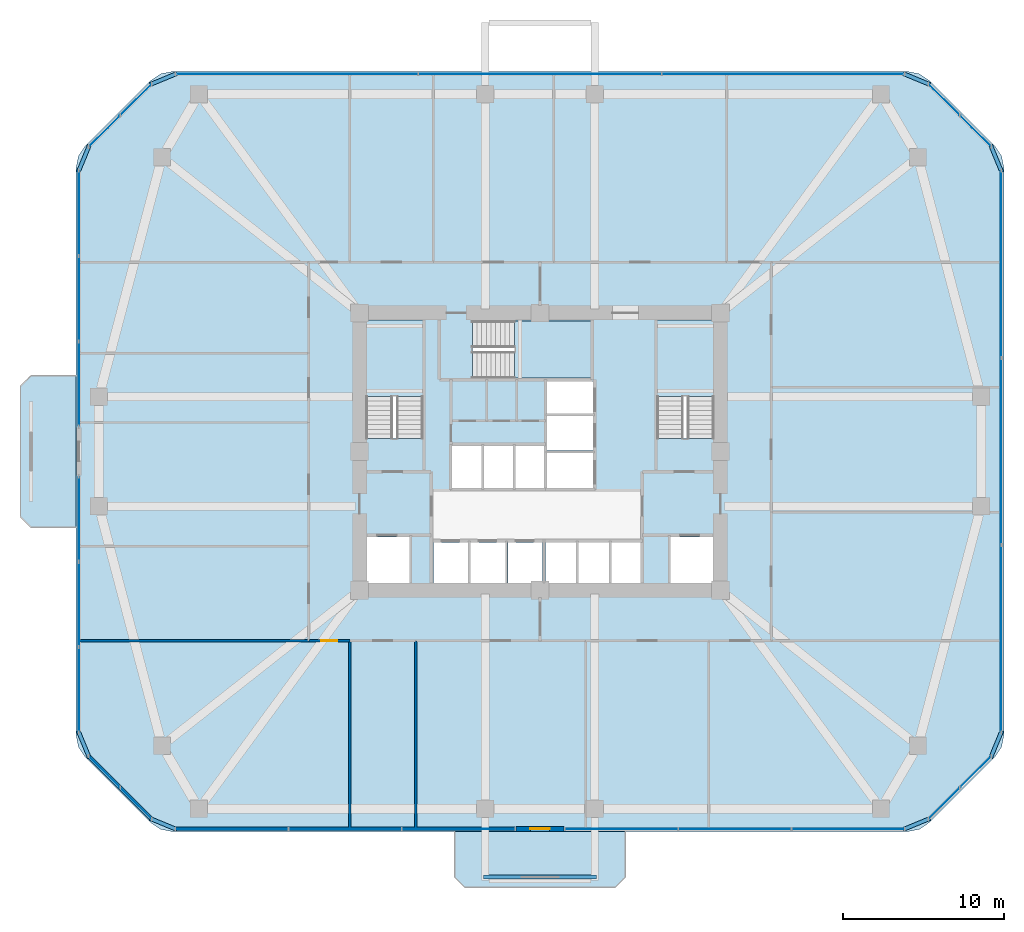
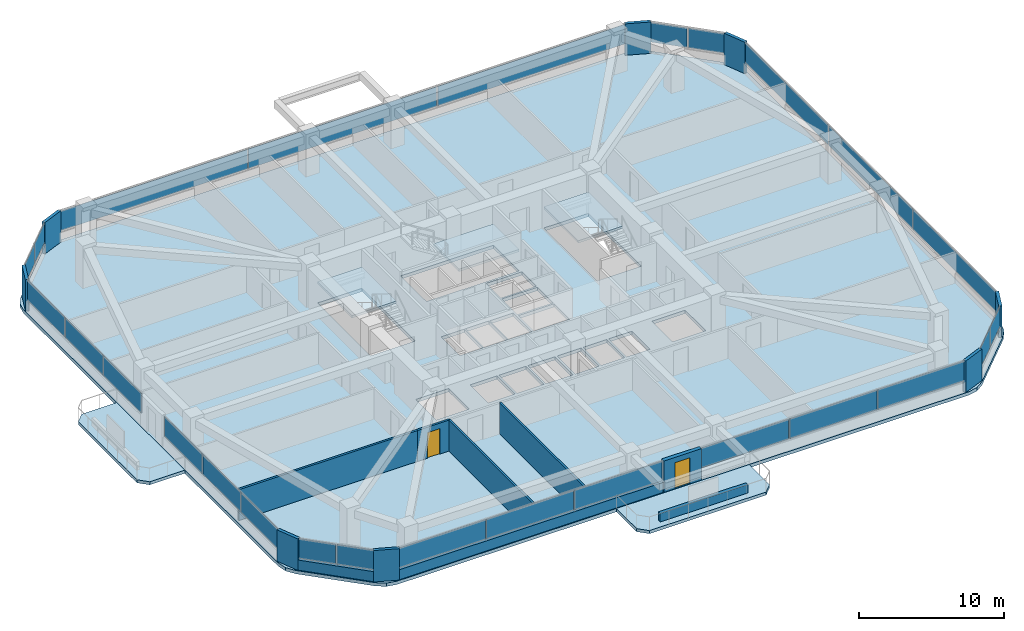
# One storey, part 8 of 13: 34 plates, 8 walls, 6 slabs, 2 doors, 2 openings, 13 elements without a shape of their own.
"""IFC4 building model written with IfcOpenShell, lengths in metres."""

import ifcopenshell
import ifcopenshell.guid

model = None  # the IFC model being written
_history = None  # IfcOwnerHistory: only IFC2X3 demands one
_inside = {}  # id of a spatial element -> (the spatial element, [elements in it])
_under = {}  # id of a project, library or spatial element -> (it, [spatial elements below it])
_declared = {}  # id of a project -> (the project, [libraries it declares])
_typed = {}  # id of a type object -> (the type object, [elements of that type])
_made_of = {}  # id of a material, layer set ... -> (it, [elements and type objects made of it])


def new_model(schema):
    """Start an empty IFC model of exactly this schema.

    Asked for "IFC4X3", IfcOpenShell would pick the latest addendum, in which some entities
    have other attributes; the version numbers below select the first issue.
    IFC2X3 requires an IfcOwnerHistory on every rooted entity: one is made here for all.
    """
    global model, _history
    if schema == "IFC4X3":
        model = ifcopenshell.file(schema_version=(4, 3, 0, 0))
    else:
        model = ifcopenshell.file(schema=schema)
    _inside.clear()
    _under.clear()
    _declared.clear()
    _typed.clear()
    _made_of.clear()
    _history = None
    if model.schema == "IFC2X3":
        org = make("IfcOrganization", Name="unknown")
        user = make(
            "IfcPersonAndOrganization",
            ThePerson=make("IfcPerson", FamilyName="unknown"),
            TheOrganization=org,
        )
        app = make(
            "IfcApplication",
            ApplicationDeveloper=org,
            Version="unknown",
            ApplicationFullName="unknown",
            ApplicationIdentifier="unknown",
        )
        _history = make(
            "IfcOwnerHistory",
            OwningUser=user,
            OwningApplication=app,
            ChangeAction="ADDED",
            CreationDate=0,
        )
    return model


def make(cls, **values):
    """One entity of the class cls with the attributes given. An attribute that is None is left unset."""
    return model.create_entity(
        cls, **{name: value for name, value in values.items() if value is not None}
    )


def rooted(cls, **values):
    """An entity with a GlobalId (a new one), such as an element, a storey or a relation."""
    return make(cls, GlobalId=ifcopenshell.guid.new(), OwnerHistory=_history, **values)


def si_unit(unit_type, name, prefix=None):
    """IfcSIUnit, for example si_unit("LENGTHUNIT", "METRE", prefix="MILLI")."""
    return make("IfcSIUnit", UnitType=unit_type, Prefix=prefix, Name=name)


def derived_unit(unit_type, elements):
    """IfcDerivedUnit: a product of units, each with its exponent."""
    return make(
        "IfcDerivedUnit",
        Elements=[
            make("IfcDerivedUnitElement", Unit=unit, Exponent=power)
            for unit, power in elements
        ],
        UnitType=unit_type,
    )


def assignment(units):
    """IfcUnitAssignment: the units of a project."""
    return None if units is None else make("IfcUnitAssignment", Units=units)


def point(xyz):
    """IfcCartesianPoint."""
    return None if xyz is None else make("IfcCartesianPoint", Coordinates=xyz)


def direction(xyz):
    """IfcDirection."""
    return None if xyz is None else make("IfcDirection", DirectionRatios=xyz)


def frame(location, z_axis=None, x_axis=None):
    """IfcAxis2Placement3D, a coordinate frame: its origin and axes. An axis left out is left unset."""
    return make(
        "IfcAxis2Placement3D",
        Location=point(location),
        Axis=direction(z_axis),
        RefDirection=direction(x_axis),
    )


def frame_2d(location, x_axis=None):
    """IfcAxis2Placement2D, a coordinate frame in the plane: its origin and x axis."""
    return make(
        "IfcAxis2Placement2D", Location=point(location), RefDirection=direction(x_axis)
    )


def origin():
    """The frame at (0, 0, 0) with its axes left unset."""
    return frame((0.0, 0.0, 0.0))


def origin_2d():
    """The frame at (0, 0) in the plane with its x axis left unset."""
    return frame_2d((0.0, 0.0))


def place(relative_to, where):
    """IfcLocalPlacement: puts the frame where relative to a parent placement (None: the world)."""
    return make(
        "IfcLocalPlacement", PlacementRelTo=relative_to, RelativePlacement=where
    )


def context(
    kind, dimensions, precision=None, world=None, true_north=None, identifier=None
):
    """IfcGeometricRepresentationContext, for example the 3D "Model" context."""
    return make(
        "IfcGeometricRepresentationContext",
        ContextIdentifier=identifier,
        ContextType=kind,
        CoordinateSpaceDimension=dimensions,
        Precision=precision,
        WorldCoordinateSystem=world,
        TrueNorth=true_north,
    )


def subcontext(parent, identifier, kind, view, scale=None):
    """IfcGeometricRepresentationSubContext, for example "Body" below "Model"."""
    return make(
        "IfcGeometricRepresentationSubContext",
        ContextIdentifier=identifier,
        ContextType=kind,
        ParentContext=parent,
        TargetScale=scale,
        TargetView=view,
    )


def project(units=None, contexts=None):
    """IfcProject with its units and contexts."""
    return rooted(
        "IfcProject",
        Name="project",
        RepresentationContexts=contexts,
        UnitsInContext=assignment(units),
    )


def spatial(cls, under=None, at=None, **own):
    """A site, building, storey or space (cls), placed at a placement, below another one or the project."""
    s = rooted(cls, ObjectPlacement=at, **own)
    if under is not None:
        _under.setdefault(under.id(), (under, []))[1].append(s)
    return s


def polyline(points):
    """IfcPolyline through the points."""
    return make("IfcPolyline", Points=[point(p) for p in points])


def profile(cls, at=None, kind="AREA", **sizes):
    """A parametric profile (cls). Its sizes go by their IFC names, for example OverallWidth=200.0."""
    return make(cls, ProfileType=kind, Position=at, **sizes)


def rectangle(**sizes):
    """IfcRectangleProfileDef."""
    return profile("IfcRectangleProfileDef", **sizes)


def outline(outer, holes=None, kind="AREA"):
    """IfcArbitraryClosedProfileDef: a profile drawn as a closed curve; with holes, ...WithVoids."""
    if holes is None:
        return make("IfcArbitraryClosedProfileDef", ProfileType=kind, OuterCurve=outer)
    return make(
        "IfcArbitraryProfileDefWithVoids",
        ProfileType=kind,
        OuterCurve=outer,
        InnerCurves=holes,
    )


def extrude(swept, where, along, depth):
    """IfcExtrudedAreaSolid: the profile swept, set in the frame where, extruded along a direction by depth."""
    return make(
        "IfcExtrudedAreaSolid",
        SweptArea=swept,
        Position=where,
        ExtrudedDirection=direction(along),
        Depth=depth,
    )


def shape(context_of_items, identifier, shape_type, items):
    """IfcShapeRepresentation: the items that make up one representation, for example the "Body"."""
    return make(
        "IfcShapeRepresentation",
        ContextOfItems=context_of_items,
        RepresentationIdentifier=identifier,
        RepresentationType=shape_type,
        Items=items,
    )


def material(Name=None, Category=None):
    """IfcMaterial."""
    return make("IfcMaterial", Name=Name, Category=Category)


def layer(
    of_material, thickness, ventilated=None, Name=None, Category=None, Priority=None
):
    """IfcMaterialLayer: one layer of a wall or slab, of a material (None: an air gap)."""
    return make(
        "IfcMaterialLayer",
        Material=of_material,
        LayerThickness=thickness,
        IsVentilated=ventilated,
        Name=Name,
        Category=Category,
        Priority=Priority,
    )


def layer_set(layers, Name=None):
    """IfcMaterialLayerSet."""
    return make("IfcMaterialLayerSet", MaterialLayers=layers, LayerSetName=Name)


def made_of(thing, what):
    """Note that an element or type object is made of a material, layer set ...; save() writes the relation."""
    if what is not None:
        _made_of.setdefault(what.id(), (what, []))[1].append(thing)
    return thing


def type_object(cls, material=None, **own):
    """A type object (cls), such as IfcWallType, which elements share."""
    return made_of(rooted(cls, **own), material)


def element(
    cls,
    number,
    at=None,
    inside=None,
    cuts=None,
    type_object=None,
    material=None,
    context=None,
    identifier="Body",
    shape_type=None,
    held_by="IfcProductDefinitionShape",
    body=None,
    shapes=None,
    **own,
):
    """One element of the class cls, such as IfcWall. Its Tag is "e" and its number.

    at: its placement. inside: the storey or other place that contains it. cuts: it is an
    opening in that element (IfcRelVoidsElement). A single representation is given by context,
    identifier, shape_type and body (its items); several are given by shapes. held_by: the class
    of the entity that holds the representations. save() writes the other relations.
    """
    e = rooted(cls, Tag="e%d" % number, ObjectPlacement=at, **own)
    if body is not None:
        shapes = [shape(context, identifier, shape_type, body)]
    if shapes is not None:
        e.Representation = make(held_by, Representations=shapes)
    if inside is not None:
        _inside.setdefault(inside.id(), (inside, []))[1].append(e)
    if cuts is not None:
        rooted(
            "IfcRelVoidsElement", RelatingBuildingElement=cuts, RelatedOpeningElement=e
        )
    if type_object is not None:
        _typed.setdefault(type_object.id(), (type_object, []))[1].append(e)
    return made_of(e, material)


def fill(opening, filler):
    """IfcRelFillsElement: the door or window that sits in an opening."""
    return rooted(
        "IfcRelFillsElement",
        RelatingOpeningElement=opening,
        RelatedBuildingElement=filler,
    )


def aggregate(whole, parts):
    """IfcRelAggregates: a whole, such as a stair, and the parts it consists of."""
    return rooted("IfcRelAggregates", RelatingObject=whole, RelatedObjects=parts)


def save(model, path):
    """Write the relations noted so far, then the file.

    IfcRelAggregates (storeys below a building ...), IfcRelContainedInSpatialStructure (elements
    in a storey), IfcRelDefinesByType, IfcRelAssociatesMaterial and IfcRelDeclares: one each for
    every whole, place, type object, material and project.
    """
    for whole, parts in _under.values():
        aggregate(whole, parts)
    for where, things in _inside.values():
        rooted(
            "IfcRelContainedInSpatialStructure",
            RelatedElements=things,
            RelatingStructure=where,
        )
    for kind, things in _typed.values():
        rooted("IfcRelDefinesByType", RelatedObjects=things, RelatingType=kind)
    for what, things in _made_of.values():
        rooted("IfcRelAssociatesMaterial", RelatedObjects=things, RelatingMaterial=what)
    for by, libraries in _declared.values():
        rooted("IfcRelDeclares", RelatingContext=by, RelatedDefinitions=libraries)
    model.write(path)


model = new_model("IFC4")

# Units and contexts
model_context = context("Model", 3, precision=1e-05, world=origin(), true_north=direction((0.0, 1.0)))
body_context = subcontext(model_context, "Body", "Model", "MODEL_VIEW")
ifc_project = project(units=[si_unit("LENGTHUNIT", "METRE"), si_unit("AREAUNIT", "SQUARE_METRE"), si_unit("VOLUMEUNIT", "CUBIC_METRE"), si_unit("PLANEANGLEUNIT", "RADIAN"), si_unit("MASSUNIT", "GRAM", prefix="KILO"), derived_unit("THERMALTRANSMITTANCEUNIT", [(si_unit("POWERUNIT", "WATT"), 1), (si_unit("LENGTHUNIT", "METRE"), -2), (si_unit("THERMODYNAMICTEMPERATUREUNIT", "KELVIN"), -1)])], contexts=[model_context])

# Site, building, storey
site_placement = place(None, origin())
site = spatial("IfcSite", under=ifc_project, at=site_placement, CompositionType="ELEMENT")
building_placement = place(site_placement, origin())
building = spatial("IfcBuilding", under=site, at=building_placement, Name="Koralith Skygarden Medical Center", CompositionType="ELEMENT")
storey_placement = place(building_placement, frame((0.0, 0.0, 49.139892578125)))
storey = spatial("IfcBuildingStorey", under=building, at=storey_placement, Name="L12", CompositionType="ELEMENT", Elevation=49.139892578125)

# Curtain wall, plates
ifc_material_1 = material(Name="Clear Laminated Glass", Category="glass")
curtain_wall_type = type_object("IfcCurtainWallType", Name="CW-2 Zone 1 Hurricane Unitised Curtain Wall", PredefinedType="NOTDEFINED", material=ifc_material_1)
curtain_wall_1_placement = place(storey_placement, origin())
curtain_wall_1 = element("IfcCurtainWall", 1, at=curtain_wall_1_placement, inside=storey, type_object=curtain_wall_type, Name="Curtain Wall CW-L12-S-L", PredefinedType="NOTDEFINED")
ifc_layer_1 = layer(ifc_material_1, 0.031982421875)
ifc_layer_set_1 = layer_set([ifc_layer_1], Name="Clear Laminated Glass")
plate_type_1 = type_object("IfcPlateType", Name="CW-2 Hurricane Laminated IGU Panel 32", PredefinedType="CURTAIN_PANEL", material=ifc_layer_set_1)
plate_1_placement = place(storey_placement, frame((17.873046875, 2.47998046875, 0.919921875), z_axis=(0.0, 0.0, 1.0), x_axis=(1.0, 0.0, 0.0)))
plate_1 = element("IfcPlate", 2, at=plate_1_placement, type_object=plate_type_1, Name="CW-L12-S-L Glazed Panel 1", PredefinedType="CURTAIN_PANEL", context=body_context, shape_type="SweptSolid", body=[
    extrude(rectangle(XDim=6.945068359375, YDim=0.031982421875, at=origin_2d()), origin(), (0.0, 0.0, 1.0), 1.659912109375),
])
plate_2_placement = place(storey_placement, frame((24.906982421875, 2.47998046875, 0.919921875), z_axis=(0.0, 0.0, 1.0), x_axis=(1.0, 0.0, 0.0)))
plate_2 = element("IfcPlate", 3, at=plate_2_placement, type_object=plate_type_1, Name="CW-L12-S-L Glazed Panel 2", PredefinedType="CURTAIN_PANEL", context=body_context, shape_type="SweptSolid", body=[
    extrude(rectangle(XDim=6.945068359375, YDim=0.031982421875, at=origin_2d()), origin(), (0.0, 0.0, 1.0), 1.659912109375),
])
plate_3_placement = place(storey_placement, frame((31.94189453125, 2.47998046875, 0.919921875), z_axis=(0.0, 0.0, 1.0), x_axis=(1.0, 0.0, 0.0)))
plate_3 = element("IfcPlate", 4, at=plate_3_placement, type_object=plate_type_1, Name="CW-L12-S-L Glazed Panel 3", PredefinedType="CURTAIN_PANEL", context=body_context, shape_type="SweptSolid", body=[
    extrude(rectangle(XDim=6.945068359375, YDim=0.031982421875, at=origin_2d()), origin(), (0.0, 0.0, 1.0), 1.659912109375),
])
aggregate(curtain_wall_1, [plate_1, plate_2, plate_3])

curtain_wall_2_placement = place(storey_placement, origin())
curtain_wall_2 = element("IfcCurtainWall", 5, at=curtain_wall_2_placement, inside=storey, type_object=curtain_wall_type, Name="Curtain Wall CW-L12-S-R", PredefinedType="NOTDEFINED")
plate_4_placement = place(storey_placement, frame((42.056884765625, 2.47998046875, 0.919921875), z_axis=(0.0, 0.0, 1.0), x_axis=(1.0, 0.0, 0.0)))
plate_4 = element("IfcPlate", 6, at=plate_4_placement, type_object=plate_type_1, Name="CW-L12-S-R Glazed Panel 1", PredefinedType="CURTAIN_PANEL", context=body_context, shape_type="SweptSolid", body=[
    extrude(rectangle(XDim=6.945068359375, YDim=0.031982421875, at=origin_2d()), origin(), (0.0, 0.0, 1.0), 1.659912109375),
])
plate_5_placement = place(storey_placement, frame((49.093017578125, 2.47998046875, 0.919921875), z_axis=(0.0, 0.0, 1.0), x_axis=(1.0, 0.0, 0.0)))
plate_5 = element("IfcPlate", 7, at=plate_5_placement, type_object=plate_type_1, Name="CW-L12-S-R Glazed Panel 2", PredefinedType="CURTAIN_PANEL", context=body_context, shape_type="SweptSolid", body=[
    extrude(rectangle(XDim=6.945068359375, YDim=0.031982421875, at=origin_2d()), origin(), (0.0, 0.0, 1.0), 1.659912109375),
])
plate_6_placement = place(storey_placement, frame((56.126953125, 2.47998046875, 0.919921875), z_axis=(0.0, 0.0, 1.0), x_axis=(1.0, 0.0, 0.0)))
plate_6 = element("IfcPlate", 8, at=plate_6_placement, type_object=plate_type_1, Name="CW-L12-S-R Glazed Panel 3", PredefinedType="CURTAIN_PANEL", context=body_context, shape_type="SweptSolid", body=[
    extrude(rectangle(XDim=6.945068359375, YDim=0.031982421875, at=origin_2d()), origin(), (0.0, 0.0, 1.0), 1.659912109375),
])
aggregate(curtain_wall_2, [plate_4, plate_5, plate_6])

curtain_wall_3_placement = place(storey_placement, origin())
curtain_wall_3 = element("IfcCurtainWall", 9, at=curtain_wall_3_placement, inside=storey, type_object=curtain_wall_type, Name="Curtain Wall CW-L12-SE", PredefinedType="NOTDEFINED")
plate_7_placement = place(storey_placement, frame((62.076904296875, 4.06201171875, 0.919921875), z_axis=(0.0, 0.0, 1.0), x_axis=(0.707106781187, 0.707106781187, 0.0)))
plate_7 = element("IfcPlate", 10, at=plate_7_placement, type_object=plate_type_1, Name="CW-L12-SE Glazed Panel 1", PredefinedType="CURTAIN_PANEL", context=body_context, shape_type="SweptSolid", body=[
    extrude(rectangle(XDim=2.68408203125, YDim=0.031982421875, at=origin_2d()), origin(), (0.0, 0.0, 1.0), 1.659912109375),
])
plate_8_placement = place(storey_placement, frame((64.0380859375, 6.02294921875, 0.919921875), z_axis=(0.0, 0.0, 1.0), x_axis=(0.707106781187, 0.707106781187, 0.0)))
plate_8 = element("IfcPlate", 11, at=plate_8_placement, type_object=plate_type_1, Name="CW-L12-SE Glazed Panel 2", PredefinedType="CURTAIN_PANEL", context=body_context, shape_type="SweptSolid", body=[
    extrude(rectangle(XDim=2.68408203125, YDim=0.031982421875, at=origin_2d()), origin(), (0.0, 0.0, 1.0), 1.659912109375),
])
aggregate(curtain_wall_3, [plate_7, plate_8])

curtain_wall_4_placement = place(storey_placement, origin())
curtain_wall_4 = element("IfcCurtainWall", 12, at=curtain_wall_4_placement, inside=storey, type_object=curtain_wall_type, Name="Curtain Wall CW-L12-E", PredefinedType="NOTDEFINED")
plate_9_placement = place(storey_placement, frame((65.6201171875, 14.27001953125, 0.919921875), z_axis=(0.0, 0.0, 1.0), x_axis=(0.0, 1.0, 0.0)))
plate_9 = element("IfcPlate", 13, at=plate_9_placement, type_object=plate_type_1, Name="CW-L12-E Glazed Panel 1", PredefinedType="CURTAIN_PANEL", context=body_context, shape_type="SweptSolid", body=[
    extrude(rectangle(XDim=11.5400390625, YDim=0.031982421875, at=origin_2d()), origin(), (0.0, 0.0, 1.0), 1.659912109375),
])
plate_10_placement = place(storey_placement, frame((65.6201171875, 25.89990234375, 0.919921875), z_axis=(0.0, 0.0, 1.0), x_axis=(0.0, 1.0, 0.0)))
plate_10 = element("IfcPlate", 14, at=plate_10_placement, type_object=plate_type_1, Name="CW-L12-E Glazed Panel 2", PredefinedType="CURTAIN_PANEL", context=body_context, shape_type="SweptSolid", body=[
    extrude(rectangle(XDim=11.5400390625, YDim=0.031982421875, at=origin_2d()), origin(), (0.0, 0.0, 1.0), 1.659912109375),
])
plate_11_placement = place(storey_placement, frame((65.6201171875, 37.530029296875, 0.919921875), z_axis=(0.0, 0.0, 1.0), x_axis=(0.0, 1.0, 0.0)))
plate_11 = element("IfcPlate", 15, at=plate_11_placement, type_object=plate_type_1, Name="CW-L12-E Glazed Panel 3", PredefinedType="CURTAIN_PANEL", context=body_context, shape_type="SweptSolid", body=[
    extrude(rectangle(XDim=11.5400390625, YDim=0.031982421875, at=origin_2d()), origin(), (0.0, 0.0, 1.0), 1.659912109375),
])
aggregate(curtain_wall_4, [plate_9, plate_10, plate_11])

curtain_wall_5_placement = place(storey_placement, origin())
curtain_wall_5 = element("IfcCurtainWall", 16, at=curtain_wall_5_placement, inside=storey, type_object=curtain_wall_type, Name="Curtain Wall CW-L12-NE", PredefinedType="NOTDEFINED")
plate_12_placement = place(storey_placement, frame((64.0380859375, 45.777099609375, 0.919921875), z_axis=(0.0, 0.0, 1.0), x_axis=(-0.707106781187, 0.707106781187, 0.0)))
plate_12 = element("IfcPlate", 17, at=plate_12_placement, type_object=plate_type_1, Name="CW-L12-NE Glazed Panel 1", PredefinedType="CURTAIN_PANEL", context=body_context, shape_type="SweptSolid", body=[
    extrude(rectangle(XDim=2.68408203125, YDim=0.031982421875, at=origin_2d()), origin(), (0.0, 0.0, 1.0), 1.659912109375),
])
plate_13_placement = place(storey_placement, frame((62.076904296875, 47.738037109375, 0.919921875), z_axis=(0.0, 0.0, 1.0), x_axis=(-0.707106781187, 0.707106781187, 0.0)))
plate_13 = element("IfcPlate", 18, at=plate_13_placement, type_object=plate_type_1, Name="CW-L12-NE Glazed Panel 2", PredefinedType="CURTAIN_PANEL", context=body_context, shape_type="SweptSolid", body=[
    extrude(rectangle(XDim=2.68408203125, YDim=0.031982421875, at=origin_2d()), origin(), (0.0, 0.0, 1.0), 1.659912109375),
])
aggregate(curtain_wall_5, [plate_12, plate_13])

curtain_wall_6_placement = place(storey_placement, origin())
curtain_wall_6 = element("IfcCurtainWall", 19, at=curtain_wall_6_placement, inside=storey, type_object=curtain_wall_type, Name="Curtain Wall CW-L12-N", PredefinedType="NOTDEFINED")
plate_14_placement = place(storey_placement, frame((52.096923828125, 49.320068359375, 0.919921875), z_axis=(0.0, 0.0, 1.0), x_axis=(-1.0, 0.0, 0.0)))
plate_14 = element("IfcPlate", 20, at=plate_14_placement, type_object=plate_type_1, Name="CW-L12-N Glazed Panel 1", PredefinedType="CURTAIN_PANEL", context=body_context, shape_type="SweptSolid", body=[
    extrude(rectangle(XDim=15.007080078125, YDim=0.031982421875, at=origin_2d()), origin(), (0.0, 0.0, 1.0), 1.659912109375),
])
plate_15_placement = place(storey_placement, frame((37.0, 49.320068359375, 0.919921875), z_axis=(0.0, 0.0, 1.0), x_axis=(-1.0, 0.0, 0.0)))
plate_15 = element("IfcPlate", 21, at=plate_15_placement, type_object=plate_type_1, Name="CW-L12-N Glazed Panel 2", PredefinedType="CURTAIN_PANEL", context=body_context, shape_type="SweptSolid", body=[
    extrude(rectangle(XDim=15.007080078125, YDim=0.031982421875, at=origin_2d()), origin(), (0.0, 0.0, 1.0), 1.659912109375),
])
plate_16_placement = place(storey_placement, frame((21.903076171875, 49.320068359375, 0.919921875), z_axis=(0.0, 0.0, 1.0), x_axis=(-1.0, 0.0, 0.0)))
plate_16 = element("IfcPlate", 22, at=plate_16_placement, type_object=plate_type_1, Name="CW-L12-N Glazed Panel 3", PredefinedType="CURTAIN_PANEL", context=body_context, shape_type="SweptSolid", body=[
    extrude(rectangle(XDim=15.007080078125, YDim=0.031982421875, at=origin_2d()), origin(), (0.0, 0.0, 1.0), 1.659912109375),
])
aggregate(curtain_wall_6, [plate_14, plate_15, plate_16])

curtain_wall_7_placement = place(storey_placement, origin())
curtain_wall_7 = element("IfcCurtainWall", 23, at=curtain_wall_7_placement, inside=storey, type_object=curtain_wall_type, Name="Curtain Wall CW-L12-NW", PredefinedType="NOTDEFINED")
plate_17_placement = place(storey_placement, frame((11.923095703125, 47.738037109375, 0.919921875), z_axis=(0.0, 0.0, 1.0), x_axis=(-0.707106781187, -0.707106781187, 0.0)))
plate_17 = element("IfcPlate", 24, at=plate_17_placement, type_object=plate_type_1, Name="CW-L12-NW Glazed Panel 1", PredefinedType="CURTAIN_PANEL", context=body_context, shape_type="SweptSolid", body=[
    extrude(rectangle(XDim=2.68408203125, YDim=0.031982421875, at=origin_2d()), origin(), (0.0, 0.0, 1.0), 1.659912109375),
])
plate_18_placement = place(storey_placement, frame((9.9619140625, 45.777099609375, 0.919921875), z_axis=(0.0, 0.0, 1.0), x_axis=(-0.707106781187, -0.707106781187, 0.0)))
plate_18 = element("IfcPlate", 25, at=plate_18_placement, type_object=plate_type_1, Name="CW-L12-NW Glazed Panel 2", PredefinedType="CURTAIN_PANEL", context=body_context, shape_type="SweptSolid", body=[
    extrude(rectangle(XDim=2.68408203125, YDim=0.031982421875, at=origin_2d()), origin(), (0.0, 0.0, 1.0), 1.659912109375),
])
aggregate(curtain_wall_7, [plate_17, plate_18])

curtain_wall_8_placement = place(storey_placement, origin())
curtain_wall_8 = element("IfcCurtainWall", 26, at=curtain_wall_8_placement, inside=storey, type_object=curtain_wall_type, Name="Curtain Wall CW-L12-W-L", PredefinedType="NOTDEFINED")
plate_19_placement = place(storey_placement, frame((8.3798828125, 40.694091796875, 0.919921875), z_axis=(0.0, 0.0, 1.0), x_axis=(0.0, -1.0, 0.0)))
plate_19 = element("IfcPlate", 27, at=plate_19_placement, type_object=plate_type_1, Name="CW-L12-W-L Glazed Panel 1", PredefinedType="CURTAIN_PANEL", context=body_context, shape_type="SweptSolid", body=[
    extrude(rectangle(XDim=5.2119140625, YDim=0.031982421875, at=origin_2d()), origin(), (0.0, 0.0, 1.0), 1.659912109375),
])
plate_20_placement = place(storey_placement, frame((8.3798828125, 35.39208984375, 0.919921875), z_axis=(0.0, 0.0, 1.0), x_axis=(0.0, -1.0, 0.0)))
plate_20 = element("IfcPlate", 28, at=plate_20_placement, type_object=plate_type_1, Name="CW-L12-W-L Glazed Panel 2", PredefinedType="CURTAIN_PANEL", context=body_context, shape_type="SweptSolid", body=[
    extrude(rectangle(XDim=5.2119140625, YDim=0.031982421875, at=origin_2d()), origin(), (0.0, 0.0, 1.0), 1.659912109375),
])
plate_21_placement = place(storey_placement, frame((8.3798828125, 30.091064453125, 0.919921875), z_axis=(0.0, 0.0, 1.0), x_axis=(0.0, -1.0, 0.0)))
plate_21 = element("IfcPlate", 29, at=plate_21_placement, type_object=plate_type_1, Name="CW-L12-W-L Glazed Panel 3", PredefinedType="CURTAIN_PANEL", context=body_context, shape_type="SweptSolid", body=[
    extrude(rectangle(XDim=5.2119140625, YDim=0.031982421875, at=origin_2d()), origin(), (0.0, 0.0, 1.0), 1.659912109375),
])
aggregate(curtain_wall_8, [plate_19, plate_20, plate_21])

curtain_wall_9_placement = place(storey_placement, origin())
curtain_wall_9 = element("IfcCurtainWall", 30, at=curtain_wall_9_placement, inside=storey, type_object=curtain_wall_type, Name="Curtain Wall CW-L12-W-R", PredefinedType="NOTDEFINED")
plate_22_placement = place(storey_placement, frame((8.3798828125, 21.708984375, 0.919921875), z_axis=(0.0, 0.0, 1.0), x_axis=(0.0, -1.0, 0.0)))
plate_22 = element("IfcPlate", 31, at=plate_22_placement, type_object=plate_type_1, Name="CW-L12-W-R Glazed Panel 1", PredefinedType="CURTAIN_PANEL", context=body_context, shape_type="SweptSolid", body=[
    extrude(rectangle(XDim=5.2119140625, YDim=0.031982421875, at=origin_2d()), origin(), (0.0, 0.0, 1.0), 1.659912109375),
])
plate_23_placement = place(storey_placement, frame((8.3798828125, 16.406982421875, 0.919921875), z_axis=(0.0, 0.0, 1.0), x_axis=(0.0, -1.0, 0.0)))
plate_23 = element("IfcPlate", 32, at=plate_23_placement, type_object=plate_type_1, Name="CW-L12-W-R Glazed Panel 2", PredefinedType="CURTAIN_PANEL", context=body_context, shape_type="SweptSolid", body=[
    extrude(rectangle(XDim=5.2119140625, YDim=0.031982421875, at=origin_2d()), origin(), (0.0, 0.0, 1.0), 1.659912109375),
])
plate_24_placement = place(storey_placement, frame((8.3798828125, 11.10595703125, 0.919921875), z_axis=(0.0, 0.0, 1.0), x_axis=(0.0, -1.0, 0.0)))
plate_24 = element("IfcPlate", 33, at=plate_24_placement, type_object=plate_type_1, Name="CW-L12-W-R Glazed Panel 3", PredefinedType="CURTAIN_PANEL", context=body_context, shape_type="SweptSolid", body=[
    extrude(rectangle(XDim=5.2119140625, YDim=0.031982421875, at=origin_2d()), origin(), (0.0, 0.0, 1.0), 1.659912109375),
])
aggregate(curtain_wall_9, [plate_22, plate_23, plate_24])

curtain_wall_10_placement = place(storey_placement, origin())
curtain_wall_10 = element("IfcCurtainWall", 34, at=curtain_wall_10_placement, inside=storey, type_object=curtain_wall_type, Name="Curtain Wall CW-L12-SW", PredefinedType="NOTDEFINED")
plate_25_placement = place(storey_placement, frame((9.9619140625, 6.02294921875, 0.919921875), z_axis=(0.0, 0.0, 1.0), x_axis=(0.707106781187, -0.707106781187, 0.0)))
plate_25 = element("IfcPlate", 35, at=plate_25_placement, type_object=plate_type_1, Name="CW-L12-SW Glazed Panel 1", PredefinedType="CURTAIN_PANEL", context=body_context, shape_type="SweptSolid", body=[
    extrude(rectangle(XDim=2.68408203125, YDim=0.031982421875, at=origin_2d()), origin(), (0.0, 0.0, 1.0), 1.659912109375),
])
plate_26_placement = place(storey_placement, frame((11.923095703125, 4.06201171875, 0.919921875), z_axis=(0.0, 0.0, 1.0), x_axis=(0.707106781187, -0.707106781187, 0.0)))
plate_26 = element("IfcPlate", 36, at=plate_26_placement, type_object=plate_type_1, Name="CW-L12-SW Glazed Panel 2", PredefinedType="CURTAIN_PANEL", context=body_context, shape_type="SweptSolid", body=[
    extrude(rectangle(XDim=2.68408203125, YDim=0.031982421875, at=origin_2d()), origin(), (0.0, 0.0, 1.0), 1.659912109375),
])
aggregate(curtain_wall_10, [plate_25, plate_26])

# Slabs
ifc_material_2 = material(Name="Concrete C45/55", Category="concrete")
ifc_layer_2 = layer(ifc_material_2, 0.260009765625)
ifc_layer_set_2 = layer_set([ifc_layer_2], Name="Concrete C45/55")
slab_type_1 = type_object("IfcSlabType", Name="Cantilevered Planted Balcony Slab 260", PredefinedType="FLOOR", material=ifc_layer_set_2)
slab_1_placement = place(storey_placement, frame((0.0, 0.0, -0.260009765625)))
element("IfcSlab", 37, at=slab_1_placement, inside=storey, type_object=slab_type_1, Name="L12 S Planted Sky-Garden Balcony Slab", PredefinedType="FLOOR", context=body_context, shape_type="SweptSolid", body=[
    extrude(outline(polyline([(32.35009765625, -1.14990234375), (41.64990234375, -1.14990234375), (42.300048828125, -0.5), (42.300048828125, 2.300048828125), (31.699951171875, 2.300048828125), (31.699951171875, -0.5), (32.35009765625, -1.14990234375)])), origin(), (0.0, 0.0, 1.0), 0.260009765625),
])
slab_2_placement = place(storey_placement, frame((0.0, 0.0, -0.260009765625)))
element("IfcSlab", 38, at=slab_2_placement, inside=storey, type_object=slab_type_1, Name="L12 W Planted Sky-Garden Balcony Slab", PredefinedType="FLOOR", context=body_context, shape_type="SweptSolid", body=[
    extrude(outline(polyline([(5.39990234375, 21.199951171875), (8.199951171875, 21.199951171875), (8.199951171875, 30.60009765625), (5.39990234375, 30.60009765625), (4.75, 29.949951171875), (4.75, 21.85009765625), (5.39990234375, 21.199951171875)])), origin(), (0.0, 0.0, 1.0), 0.260009765625),
])

# Stair, slab
stair_type = type_object("IfcStairType", Name="Core Exit Dogleg Concrete Stair", PredefinedType="HALF_TURN_STAIR", material=ifc_material_2)
stair_1_placement = place(storey_placement, origin())
stair_1 = element("IfcStair", 39, at=stair_1_placement, inside=storey, type_object=stair_type, Name="L12 Smokeproof Exit Stair ST1", PredefinedType="HALF_TURN_STAIR")
ifc_layer_3 = layer(ifc_material_2, 0.199951171875)
ifc_layer_set_3 = layer_set([ifc_layer_3], Name="Concrete C45/55")
slab_type_2 = type_object("IfcSlabType", Name="Core Exit Concrete Stair Landing 200", PredefinedType="LANDING", material=ifc_layer_set_3)
slab_3_placement = place(storey_placement, frame((0.0, 0.0, 1.60009765625)))
slab_3 = element("IfcSlab", 40, at=slab_3_placement, type_object=slab_type_2, Name="ST1 landing 1", PredefinedType="LANDING", context=body_context, shape_type="SweptSolid", body=[
    extrude(outline(polyline([(29.75, 29.31005859375), (29.75, 34.050048828125), (26.199951171875, 34.050048828125), (26.199951171875, 29.31005859375), (29.75, 29.31005859375)])), origin(), (0.0, 0.0, 1.0), 0.199951171875),
])
aggregate(stair_1, [slab_3])

stair_2_placement = place(storey_placement, origin())
stair_2 = element("IfcStair", 41, at=stair_2_placement, inside=storey, type_object=stair_type, Name="L12 Smokeproof Exit Stair ST2", PredefinedType="HALF_TURN_STAIR")
slab_4_placement = place(storey_placement, frame((0.0, 0.0, 1.60009765625)))
slab_4 = element("IfcSlab", 42, at=slab_4_placement, type_object=slab_type_2, Name="ST2 landing 1", PredefinedType="LANDING", context=body_context, shape_type="SweptSolid", body=[
    extrude(outline(polyline([(47.800048828125, 29.31005859375), (47.800048828125, 34.050048828125), (44.25, 34.050048828125), (44.25, 29.31005859375), (47.800048828125, 29.31005859375)])), origin(), (0.0, 0.0, 1.0), 0.199951171875),
])
aggregate(stair_2, [slab_4])

stair_3_placement = place(storey_placement, origin())
stair_3 = element("IfcStair", 43, at=stair_3_placement, inside=storey, type_object=stair_type, Name="L12 Smokeproof Exit Stair ST3", PredefinedType="HALF_TURN_STAIR")
slab_5_placement = place(storey_placement, frame((0.0, 0.0, 1.60009765625)))
slab_5 = element("IfcSlab", 44, at=slab_5_placement, type_object=slab_type_2, Name="ST3 landing 1", PredefinedType="LANDING", context=body_context, shape_type="SweptSolid", body=[
    extrude(outline(polyline([(35.409912109375, 30.449951171875), (40.199951171875, 30.449951171875), (40.199951171875, 34.0), (35.409912109375, 34.0), (35.409912109375, 30.449951171875)])), origin(), (0.0, 0.0, 1.0), 0.199951171875),
])
aggregate(stair_3, [slab_5])

# Slab
ifc_layer_4 = layer(ifc_material_2, 0.280029296875)
ifc_layer_set_4 = layer_set([ifc_layer_4], Name="Concrete C45/55")
slab_type_3 = type_object("IfcSlabType", Name="Post-Tensioned Ward Floor Plate 280", PredefinedType="FLOOR", material=ifc_layer_set_4)
slab_6_placement = place(storey_placement, frame((0.0, 0.0, -0.27978515625)))
element("IfcSlab", 45, at=slab_6_placement, inside=storey, type_object=slab_type_3, Name="Level L12 Structural Floor Slab", PredefinedType="FLOOR", context=body_context, shape_type="SweptSolid", body=[
    extrude(outline(polyline([(12.81396484375, 2.885986328125), (13.462890625, 2.451904296875), (14.22802734375, 2.300048828125), (59.77197265625, 2.300048828125), (60.537109375, 2.451904296875), (61.18603515625, 2.885986328125), (65.214111328125, 6.9140625), (65.64794921875, 7.56298828125), (65.800048828125, 8.327880859375), (65.800048828125, 43.471923828125), (65.64794921875, 44.237060546875), (65.214111328125, 44.885986328125), (61.18603515625, 48.9140625), (60.537109375, 49.347900390625), (59.77197265625, 49.5), (14.22802734375, 49.5), (13.462890625, 49.347900390625), (12.81396484375, 48.9140625), (8.785888671875, 44.885986328125), (8.35205078125, 44.237060546875), (8.199951171875, 43.471923828125), (8.199951171875, 8.327880859375), (8.35205078125, 7.56298828125), (8.785888671875, 6.9140625), (12.81396484375, 2.885986328125)]), holes=[polyline([(26.199951171875, 26.705078125), (29.75, 26.705078125), (29.75, 34.050048828125), (26.199951171875, 34.050048828125), (26.199951171875, 26.705078125)]), polyline([(44.25, 26.705078125), (47.800048828125, 26.705078125), (47.800048828125, 34.050048828125), (44.25, 34.050048828125), (44.25, 26.705078125)]), polyline([(32.804931640625, 30.449951171875), (40.199951171875, 30.449951171875), (40.199951171875, 34.0), (32.804931640625, 34.0), (32.804931640625, 30.449951171875)]), polyline([(26.25, 17.75), (28.89990234375, 17.75), (28.89990234375, 20.60009765625), (26.25, 20.60009765625), (26.25, 17.75)]), polyline([(45.10009765625, 17.75), (47.75, 17.75), (47.75, 20.60009765625), (45.10009765625, 20.60009765625), (45.10009765625, 17.75)]), polyline([(30.39990234375, 17.75), (32.550048828125, 17.75), (32.550048828125, 20.25), (30.39990234375, 20.25), (30.39990234375, 17.75)]), polyline([(32.699951171875, 17.75), (34.85009765625, 17.75), (34.85009765625, 20.25), (32.699951171875, 20.25), (32.699951171875, 17.75)]), polyline([(35.0, 17.75), (37.14990234375, 17.75), (37.14990234375, 20.25), (35.0, 20.25), (35.0, 17.75)]), polyline([(37.35009765625, 17.75), (39.25, 17.75), (39.25, 20.25), (37.35009765625, 20.25), (37.35009765625, 17.75)]), polyline([(39.39990234375, 17.75), (41.300048828125, 17.75), (41.300048828125, 20.25), (39.39990234375, 20.25), (39.39990234375, 17.75)]), polyline([(41.449951171875, 17.75), (43.300048828125, 17.75), (43.300048828125, 20.25), (41.449951171875, 20.25), (41.449951171875, 17.75)]), polyline([(31.550048828125, 23.64990234375), (33.39990234375, 23.64990234375), (33.39990234375, 26.25), (31.550048828125, 26.25), (31.550048828125, 23.64990234375)]), polyline([(33.5, 23.64990234375), (35.35009765625, 23.64990234375), (35.35009765625, 26.25), (33.5, 26.25), (33.5, 23.64990234375)]), polyline([(35.449951171875, 23.64990234375), (37.300048828125, 23.64990234375), (37.300048828125, 26.25), (35.449951171875, 26.25), (35.449951171875, 23.64990234375)]), polyline([(37.449951171875, 23.64990234375), (40.300048828125, 23.64990234375), (40.300048828125, 25.800048828125), (37.449951171875, 25.800048828125), (37.449951171875, 23.64990234375)]), polyline([(37.449951171875, 25.949951171875), (40.300048828125, 25.949951171875), (40.300048828125, 28.10009765625), (37.449951171875, 28.10009765625), (37.449951171875, 25.949951171875)]), polyline([(37.449951171875, 28.25), (40.300048828125, 28.25), (40.300048828125, 30.25), (37.449951171875, 30.25), (37.449951171875, 28.25)])]), origin(), (0.0, 0.0, 1.0), 0.27978515625),
])

# Plates
ifc_material_3 = material(Name="Warm Oolitic Limestone Cladding", Category="masonry")
ifc_layer_5 = layer(ifc_material_3, 0.239990234375)
ifc_layer_set_5 = layer_set([ifc_layer_5], Name="Warm Oolitic Limestone Cladding")
plate_type_2 = type_object("IfcPlateType", Name="Rounded-Corner Oolitic Limestone Cladding Panel 240", PredefinedType="USERDEFINED", material=ifc_layer_set_5)
for number, where, z_axis, x_axis, name in (
    (46, (60.3701171875, 2.780029296875, 0.000244140625), (0.0, 0.0, 1.0), (0.92388487569, 0.382670532536, 0.0), "L12 Rounded-Corner Limestone Pier 1"),
    (47, (65.320068359375, 7.72900390625, 0.000244140625), (0.0, 0.0, 1.0), (0.382670532536, 0.92388487569, 0.0), "L12 Rounded-Corner Limestone Pier 2"),
    (48, (65.320068359375, 44.070068359375, 0.000244140625), (0.0, 0.0, 1.0), (-0.382670532536, 0.92388487569, 0.0), "L12 Rounded-Corner Limestone Pier 3"),
    (49, (60.3701171875, 49.02001953125, 0.000244140625), (0.0, 0.0, 1.0), (-0.92388487569, 0.382670532536, 0.0), "L12 Rounded-Corner Limestone Pier 4"),
    (50, (13.6298828125, 49.02001953125, 0.000244140625), (0.0, 0.0, 1.0), (-0.92388487569, -0.382670532536, 0.0), "L12 Rounded-Corner Limestone Pier 5"),
    (51, (8.680908203125, 44.070068359375, 0.000244140625), (0.0, 0.0, 1.0), (-0.382670532536, -0.92388487569, 0.0), "L12 Rounded-Corner Limestone Pier 6"),
    (52, (8.680908203125, 7.72900390625, 0.000244140625), (0.0, 0.0, 1.0), (0.382670532536, -0.92388487569, 0.0), "L12 Rounded-Corner Limestone Pier 7"),
    (53, (13.6298828125, 2.780029296875, 0.000244140625), (0.0, 0.0, 1.0), (0.92388487569, -0.382670532536, 0.0), "L12 Rounded-Corner Limestone Pier 8"),
):
    element("IfcPlate", number, at=place(storey_placement, frame(where, z_axis=z_axis, x_axis=x_axis)), inside=storey, type_object=plate_type_2, Name=name, ObjectType="LIMESTONE CLADDING", PredefinedType="USERDEFINED", context=body_context, shape_type="SweptSolid", body=[
        extrude(rectangle(XDim=1.81103515625, YDim=0.239990234375, at=origin_2d()), origin(), (0.0, 0.0, 1.0), 2.64990234375),
    ])

# Walls
ifc_material_4 = material(Name="Gypsum Board Partition")
ifc_layer_6 = layer(ifc_material_4, 0.14990234375)
ifc_layer_set_6 = layer_set([ifc_layer_6], Name="Gypsum Board Partition")
wall_type_1 = type_object("IfcWallType", Name="Clinical Acoustic Partition 150", PredefinedType="PARTITIONING", material=ifc_layer_set_6)
for number, where, z_axis, x_axis, name in (
    (54, (25.199951171875, 14.14990234375, 0.0), (0.0, 0.0, 1.0), (0.0, -1.0, 0.0), "L12 Clinical Acoustic Partition 150 W-PART-L12-S-01"),
    (55, (29.278076171875, 14.14990234375, 0.0), (0.0, 0.0, 1.0), (0.0, -1.0, 0.0), "L12 Clinical Acoustic Partition 150 W-PART-L12-S-02"),
):
    element("IfcWall", number, at=place(storey_placement, frame(where, z_axis=z_axis, x_axis=x_axis)), inside=storey, type_object=wall_type_1, Name=name, PredefinedType="PARTITIONING", context=body_context, shape_type="SweptSolid", body=[
        extrude(rectangle(XDim=11.64990234375, YDim=0.14990234375, at=frame_2d((5.824951171875, 0.0))), origin(), (0.0, 0.0, 1.0), 2.610107421875),
    ])
ifc_layer_7 = layer(ifc_material_4, 0.1650390625)
ifc_layer_set_7 = layer_set([ifc_layer_7], Name="Gypsum Board Partition")
wall_type_2 = type_object("IfcWallType", Name="Clinical Corridor Partition 165", PredefinedType="PARTITIONING", material=ifc_layer_set_7)
wall_1_placement = place(storey_placement, frame((8.39990234375, 14.14990234375, 0.0), z_axis=(0.0, 0.0, 1.0), x_axis=(1.0, 0.0, 0.0)))
element("IfcWall", 56, at=wall_1_placement, inside=storey, type_object=wall_type_2, Name="L12 Clinical Corridor Partition 165 W-WB-L12-SW", PredefinedType="PARTITIONING", context=body_context, shape_type="SweptSolid", body=[
    extrude(rectangle(XDim=14.25, YDim=0.1650390625, at=frame_2d((7.125, 0.0))), origin(), (0.0, 0.0, 1.0), 2.610107421875),
])

# Wall, opening, door
wall_2_placement = place(storey_placement, frame((22.64990234375, 14.14990234375, 0.0), z_axis=(0.0, 0.0, 1.0), x_axis=(1.0, 0.0, 0.0)))
wall_2 = element("IfcWall", 57, at=wall_2_placement, inside=storey, type_object=wall_type_2, Name="L12 Clinical Corridor Partition 165 W-CORR-L12-S-01", PredefinedType="PARTITIONING", context=body_context, shape_type="SweptSolid", body=[
    extrude(rectangle(XDim=2.550048828125, YDim=0.1650390625, at=frame_2d((1.27490234375, 0.0))), origin(), (0.0, 0.0, 1.0), 2.610107421875),
])
opening_1_placement = place(wall_2_placement, frame((0.77490234375, 0.0, 0.0)))
opening_1 = element("IfcOpeningElement", 58, at=opening_1_placement, cuts=wall_2, Name="Opening D-SUP", PredefinedType="OPENING", context=body_context, shape_type="SweptSolid", body=[
    extrude(rectangle(XDim=1.0, YDim=2.14990234375, at=frame_2d((0.5, 1.074951171875))), frame((0.0, 0.092529296875, 0.0), z_axis=(0.0, -1.0, 0.0), x_axis=(1.0, 0.0, 0.0)), (0.0, 0.0, 1.0), 0.18505859375),
])
ifc_material_5 = material(Name="Aluminium 6063-T6", Category="aluminium")
door_type_1 = type_object("IfcDoorType", Name="Clinical Support Door D-SUP 1000", OperationType="NOTDEFINED", PredefinedType="DOOR", material=ifc_material_5)
door_1_placement = place(opening_1_placement, frame((1.0, 0.0, 0.0), z_axis=(0.0, 0.0, 1.0), x_axis=(-1.0, 0.0, 0.0)))
door_1 = element("IfcDoor", 59, at=door_1_placement, inside=storey, type_object=door_type_1, Name="L12 Grand Rounds Conference Room 06 Door", OperationType="SINGLE_SWING_LEFT", OverallHeight=2.14990234375, OverallWidth=1.0, PredefinedType="DOOR", context=body_context, shape_type="SweptSolid", body=[
    extrude(rectangle(XDim=1.0, YDim=2.14990234375, at=frame_2d((0.5, 1.074951171875))), frame((0.0, 0.02490234375, 0.0), z_axis=(0.0, -1.0, 0.0), x_axis=(1.0, 0.0, 0.0)), (0.0, 0.0, 1.0), 0.050048828125),
])
fill(opening_1, door_1)

# Walls
ifc_layer_8 = layer(ifc_material_3, 0.239990234375)
ifc_layer_set_8 = layer_set([ifc_layer_8], Name="Warm Oolitic Limestone Cladding")
wall_type_3 = type_object("IfcWallType", Name="Limestone Spandrel Sill Backup Wall 240", PredefinedType="SOLIDWALL", material=ifc_layer_set_8)
wall_3_placement = place(storey_placement, frame((14.35498046875, 2.47998046875, 0.0), z_axis=(0.0, 0.0, 1.0), x_axis=(1.0, 0.0, 0.0)))
element("IfcWall", 60, at=wall_3_placement, inside=storey, type_object=wall_type_3, Name="L12 Sill Spandrel S-L", PredefinedType="SOLIDWALL", context=body_context, shape_type="SweptSolid", body=[
    extrude(rectangle(XDim=21.10498046875, YDim=0.239990234375, at=frame_2d((10.552490234375, 0.0))), origin(), (0.0, 0.0, 1.0), 0.85009765625),
])
wall_4_placement = place(storey_placement, frame((8.98095703125, 7.00390625, 0.0), z_axis=(0.0, 0.0, 1.0), x_axis=(0.707128783731, -0.707084777957, 0.0)))
element("IfcWall", 61, at=wall_4_placement, inside=storey, type_object=wall_type_3, Name="L12 Sill Spandrel SW", PredefinedType="SOLIDWALL", context=body_context, shape_type="SweptSolid", body=[
    extrude(rectangle(XDim=5.5478515625, YDim=0.239990234375, at=frame_2d((2.77392578125, 0.0))), origin(), (0.0, 0.0, 1.0), 0.85009765625),
])

# Wall, opening, door
ifc_layer_9 = layer(ifc_material_3, 0.300048828125)
ifc_layer_set_9 = layer_set([ifc_layer_9], Name="Warm Oolitic Limestone Cladding")
wall_type_4 = type_object("IfcWallType", Name="Oolitic Limestone Insulated Facade Wall 300", PredefinedType="SOLIDWALL", material=ifc_layer_set_9)
wall_5_placement = place(storey_placement, frame((35.5, 2.47998046875, 0.0), z_axis=(0.0, 0.0, 1.0), x_axis=(1.0, 0.0, 0.0)))
wall_5 = element("IfcWall", 62, at=wall_5_placement, inside=storey, type_object=wall_type_4, Name="L12 Terrace Portal Wall S", PredefinedType="SOLIDWALL", context=body_context, shape_type="SweptSolid", body=[
    extrude(rectangle(XDim=3.0, YDim=0.300048828125, at=frame_2d((1.5, 0.0))), origin(), (0.0, 0.0, 1.0), 2.650146484375),
])
opening_2_placement = place(wall_5_placement, frame((0.89990234375, 0.0, 0.0)))
opening_2 = element("IfcOpeningElement", 63, at=opening_2_placement, cuts=wall_5, Name="Opening D-BAL", PredefinedType="OPENING", context=body_context, shape_type="SweptSolid", body=[
    extrude(rectangle(XDim=1.199951171875, YDim=2.199951171875, at=frame_2d((0.60009765625, 1.10009765625))), frame((0.0, 0.159912109375, 0.0), z_axis=(0.0, -1.0, 0.0), x_axis=(1.0, 0.0, 0.0)), (0.0, 0.0, 1.0), 0.320068359375),
])
door_type_2 = type_object("IfcDoorType", Name="Planted Balcony Glazed Terrace Door D-BAL 1200", OperationType="NOTDEFINED", PredefinedType="DOOR", material=ifc_material_5)
door_2_placement = place(opening_2_placement, origin())
door_2 = element("IfcDoor", 64, at=door_2_placement, inside=storey, type_object=door_type_2, Name="L12 S Outdoor Terrace Access Door", OperationType="SINGLE_SWING_LEFT", OverallHeight=2.199951171875, OverallWidth=1.199951171875, PredefinedType="DOOR", context=body_context, shape_type="SweptSolid", body=[
    extrude(rectangle(XDim=1.199951171875, YDim=2.199951171875, at=frame_2d((0.60009765625, 1.10009765625))), frame((0.0, 0.02490234375, 0.0), z_axis=(0.0, -1.0, 0.0), x_axis=(1.0, 0.0, 0.0)), (0.0, 0.0, 1.0), 0.050048828125),
])
fill(opening_2, door_2)

# Wall
ifc_material_6 = material(Name="Precast concrete C40/50", Category="concrete")
ifc_layer_10 = layer(ifc_material_6, 0.25)
ifc_layer_set_10 = layer_set([ifc_layer_10], Name="Precast concrete C40/50")
wall_type_5 = type_object("IfcWallType", Name="Structural Concrete Balcony Planter Kerb 250", PredefinedType="PARAPET", material=ifc_layer_set_10)
wall_6_placement = place(storey_placement, frame((33.5, -0.5, 0.0), z_axis=(0.0, 0.0, 1.0), x_axis=(1.0, 0.0, 0.0)))
element("IfcWall", 65, at=wall_6_placement, inside=storey, type_object=wall_type_5, Name="L12 S Structural Tree PLANTER Box", PredefinedType="PARAPET", context=body_context, shape_type="SweptSolid", body=[
    extrude(rectangle(XDim=7.0, YDim=0.25, at=frame_2d((3.5, 0.0))), origin(), (0.0, 0.0, 1.0), 0.72021484375),
])

save(model, "model.ifc")
